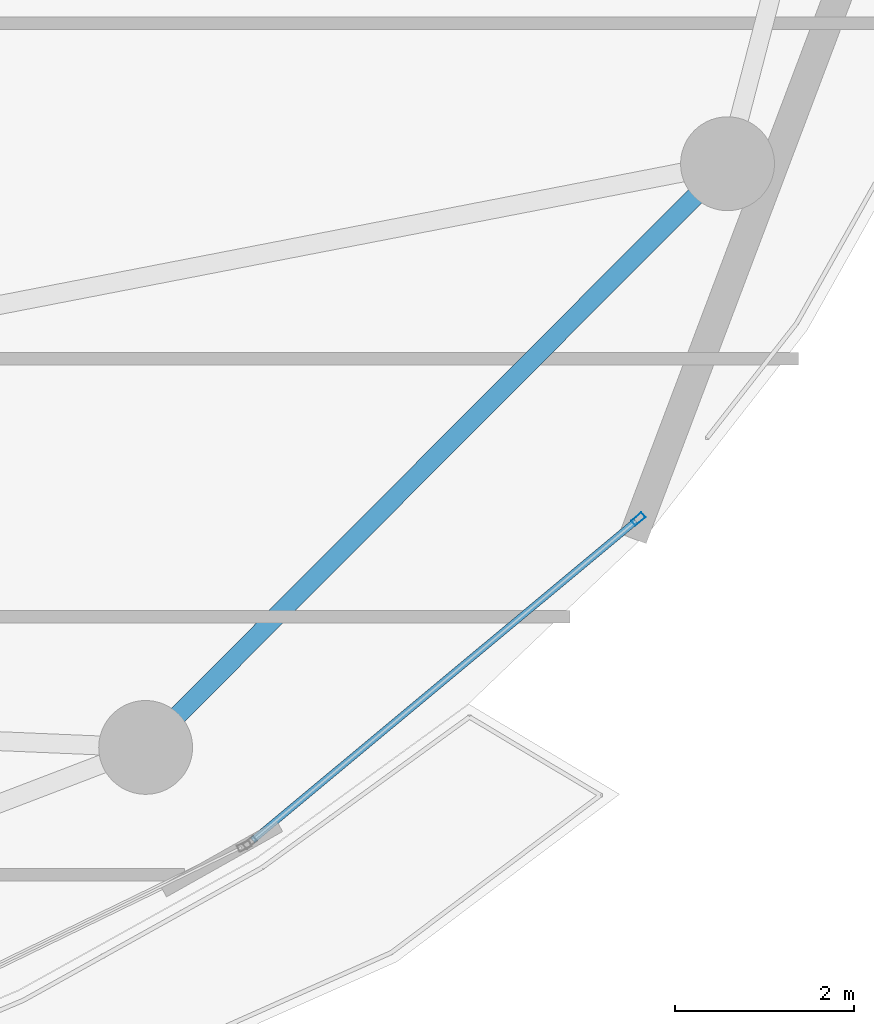
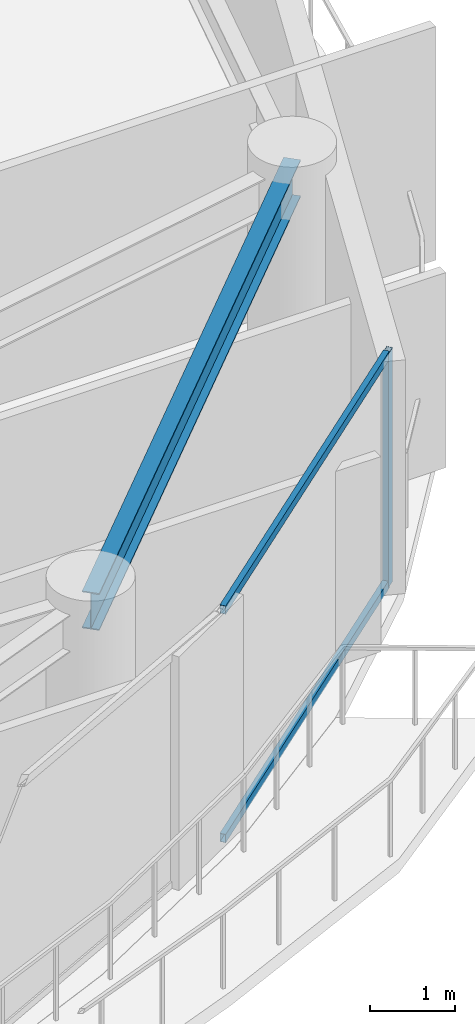
# One storey, part 14 of 31: 3 members, 1 beam, 1 element without a shape of its own.
"""IFC4 building model written with IfcOpenShell, lengths in metres."""

from ifc_helpers import new_model, si_unit, direction, frame, origin, origin_2d, place, context, subcontext, project, spatial, hollow_rectangle, i_section, extrude, material, layer, layer_set, material_profile, profile_set, type_object, element, aggregate, save


model = new_model("IFC4")

# Units and contexts
model_context = context("Model", 3, precision=1e-05, world=origin(), true_north=direction((0.0, 1.0)))
body_context = subcontext(model_context, "Body", "Model", "MODEL_VIEW")
ifc_project = project(units=[si_unit("LENGTHUNIT", "METRE"), si_unit("AREAUNIT", "SQUARE_METRE"), si_unit("VOLUMEUNIT", "CUBIC_METRE"), si_unit("PLANEANGLEUNIT", "RADIAN"), si_unit("MASSUNIT", "GRAM", prefix="KILO")], contexts=[model_context])

# Site, building, storey
site_placement = place(None, origin())
site = spatial("IfcSite", under=ifc_project, at=site_placement, CompositionType="ELEMENT")
building_placement = place(site_placement, origin())
building = spatial("IfcBuilding", under=site, at=building_placement, Name="Kazevale Care Tower and Concert Hall", CompositionType="ELEMENT")
storey_placement = place(building_placement, frame((0.0, 0.0, 235.199951171875)))
storey = spatial("IfcBuildingStorey", under=building, at=storey_placement, Name="L62", CompositionType="ELEMENT", Elevation=235.199951171875)

# Curtain wall, members
ifc_material_1 = material(Name="Aluminium 6063-T6 and Low-E Glass", Category="aluminium")
ifc_layer = layer(ifc_material_1, 0.179931640625)
ifc_layer_set = layer_set([ifc_layer], Name="Aluminium 6063-T6 and Low-E Glass")
curtain_wall_type = type_object("IfcCurtainWallType", Name="Sheltered Concave Balcony Curtain Wall CW-5", PredefinedType="NOTDEFINED", material=ifc_layer_set)
curtain_wall_placement = place(storey_placement, origin())
curtain_wall = element("IfcCurtainWall", 1, at=curtain_wall_placement, inside=storey, type_object=curtain_wall_type, Name="cw:L62:f02", PredefinedType="NOTDEFINED")
ifc_material_2 = material(Name="Aluminium 6063-T6", Category="aluminium")
ifc_material_profile_1 = material_profile(ifc_material_2, hollow_rectangle(XDim=0.074951171875, YDim=0.14990234375, WallThickness=0.00390625, at=origin_2d()), Name="ALU75x150x4")
ifc_profile_set_1 = profile_set([ifc_material_profile_1], Name="Aluminium 6063-T6")
member_type_1 = type_object("IfcMemberType", Name="CW-5 Mullion ALU75x150x4", PredefinedType="MULLION", material=ifc_profile_set_1)
member_1_placement = place(storey_placement, frame((71.76318359375, 25.2060546875, 0.0), z_axis=(0.0, 0.0, 1.0), x_axis=(0.639961217204, -0.768407210062, 0.0)))
member_1 = element("IfcMember", 2, at=member_1_placement, type_object=member_type_1, Name="CW-5 mullion 1", PredefinedType="MULLION", context=body_context, shape_type="SweptSolid", body=[
    extrude(hollow_rectangle(XDim=0.074951171875, YDim=0.14990234375, WallThickness=0.00390625, at=origin_2d()), origin(), (0.0, 0.0, 1.0), 3.360107421875),
])
ifc_material_profile_2 = material_profile(ifc_material_2, hollow_rectangle(XDim=0.074951171875, YDim=0.1201171875, WallThickness=0.00390625, at=origin_2d()), Name="ALU75x120x4")
ifc_profile_set_2 = profile_set([ifc_material_profile_2], Name="Aluminium 6063-T6")
member_type_2 = type_object("IfcMemberType", Name="CW-5 Transom ALU75x120x4", PredefinedType="USERDEFINED", material=ifc_profile_set_2)
member_2_placement = place(storey_placement, frame((71.734375, 25.181884765625, 0.03759765625), z_axis=(-0.768432829708, -0.639930454211, 0.0), x_axis=(0.639930454211, -0.768432829708, 0.0)))
member_2 = element("IfcMember", 3, at=member_2_placement, type_object=member_type_2, Name="CW-5 transom 1.1", ObjectType="TRANSOM", PredefinedType="USERDEFINED", context=body_context, shape_type="SweptSolid", body=[
    extrude(hollow_rectangle(XDim=0.074951171875, YDim=0.1201171875, WallThickness=0.00390625, at=origin_2d()), origin(), (0.0, 0.0, 1.0), 5.580078125),
])
member_3_placement = place(storey_placement, frame((71.734375, 25.181884765625, 3.322509765625), z_axis=(-0.768432829708, -0.639930454211, 0.0), x_axis=(0.639930454211, -0.768432829708, 0.0)))
member_3 = element("IfcMember", 4, at=member_3_placement, type_object=member_type_2, Name="CW-5 transom 1.2", ObjectType="TRANSOM", PredefinedType="USERDEFINED", context=body_context, shape_type="SweptSolid", body=[
    extrude(hollow_rectangle(XDim=0.074951171875, YDim=0.1201171875, WallThickness=0.00390625, at=origin_2d()), origin(), (0.0, 0.0, 1.0), 5.580078125),
])
aggregate(curtain_wall, [member_1, member_2, member_3])

# Beam
ifc_material_3 = material(Name="Steel ASTM A572 Gr 50", Category="steel")
ifc_material_profile_3 = material_profile(ifc_material_3, i_section(OverallWidth=0.208984375, OverallDepth=0.532958984375, WebThickness=0.01025390625, FlangeThickness=0.015625, at=origin_2d()), Name="W530x92")
ifc_profile_set_3 = profile_set([ifc_material_profile_3], Name="Steel ASTM A572 Gr 50")
beam_type = type_object("IfcBeamType", Name="Upper Ring Beam W530x92", PredefinedType="BEAM", material=ifc_profile_set_3)
beam_placement = place(storey_placement, frame((66.25, 22.64990234375, 3.093505859375), z_axis=(0.706020373708, 0.708191522054, 0.0), x_axis=(-0.708191522054, 0.706020373708, 0.0)))
element("IfcBeam", 5, at=beam_placement, inside=storey, type_object=beam_type, Name="beam:L62:ring:15", PredefinedType="BEAM", context=body_context, shape_type="SweptSolid", body=[
    extrude(i_section(OverallWidth=0.208984375, OverallDepth=0.532958984375, WebThickness=0.01025390625, FlangeThickness=0.015625, at=origin_2d()), origin(), (0.0, 0.0, 1.0), 9.220703125),
])

save(model, "model.ifc")
